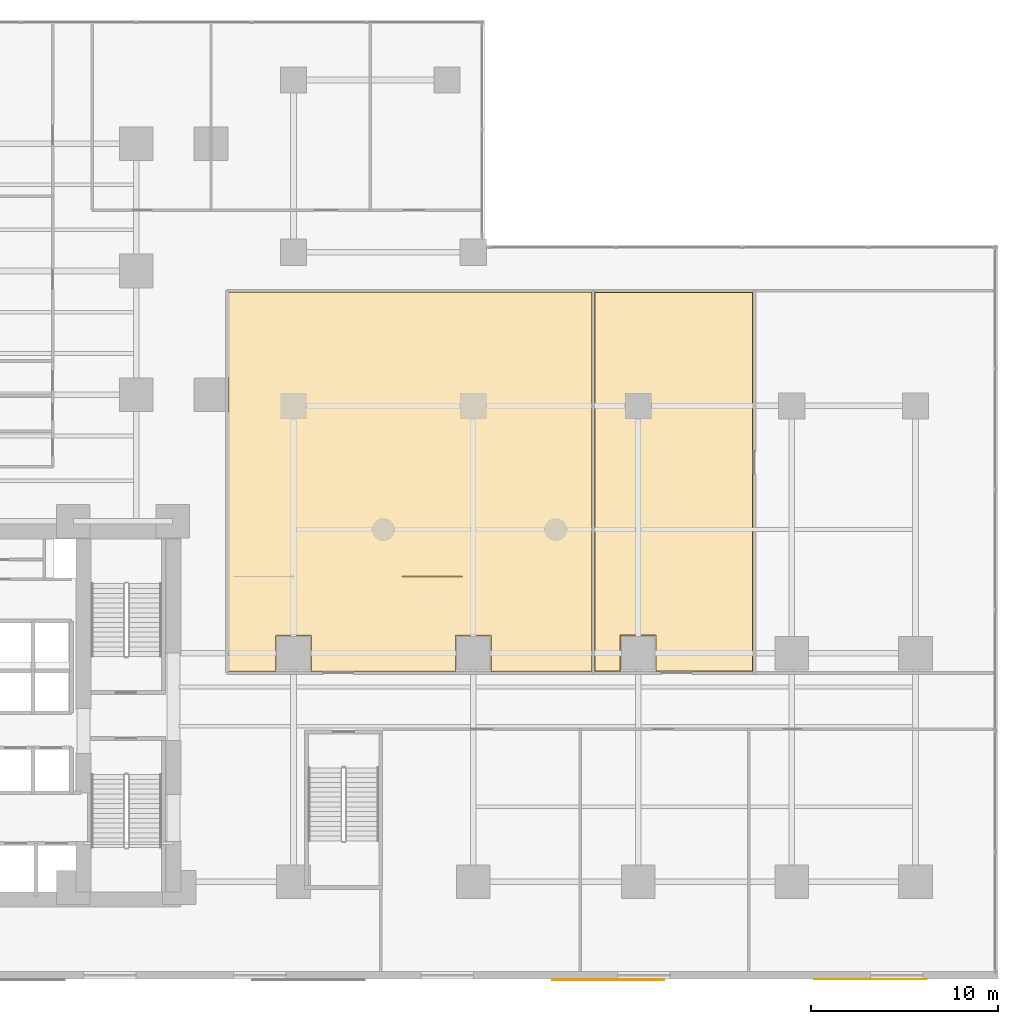
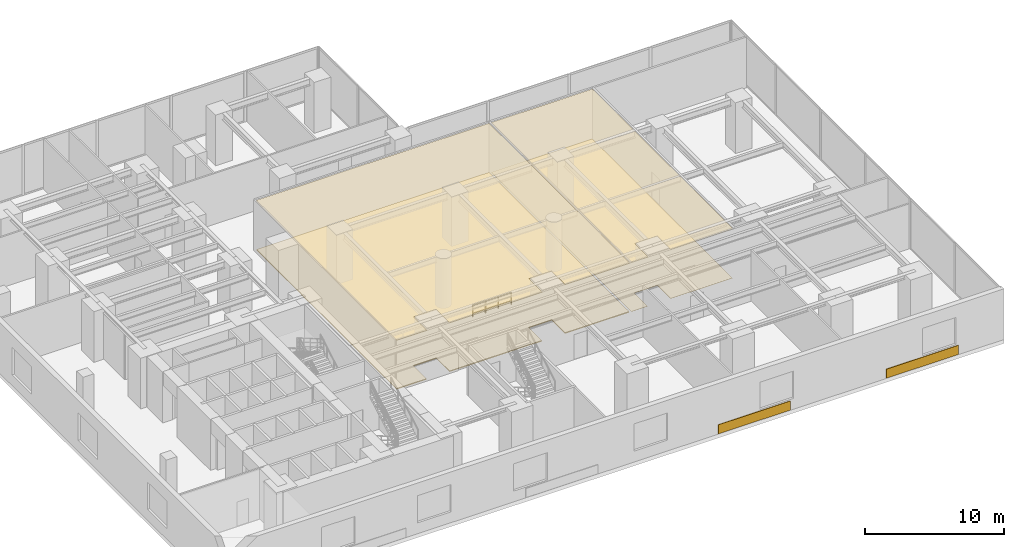
# One storey, part 16 of 16: 6 coverings, 1 railing.
"""IFC4 building model written with IfcOpenShell, lengths in metres."""

from ifc_helpers import new_model, si_unit, direction, frame, origin, origin_2d, place, context, subcontext, project, spatial, polyline, rectangle, circle, outline, extrude, material, layer, layer_set, type_object, element, save


model = new_model("IFC4")

# Units and contexts
model_context = context("Model", 3, precision=1e-05, world=origin(), true_north=direction((0.0, 1.0)))
body_context = subcontext(model_context, "Body", "Model", "MODEL_VIEW")
ifc_project = project(units=[si_unit("LENGTHUNIT", "METRE"), si_unit("AREAUNIT", "SQUARE_METRE"), si_unit("VOLUMEUNIT", "CUBIC_METRE"), si_unit("PLANEANGLEUNIT", "RADIAN"), si_unit("MASSUNIT", "GRAM", prefix="KILO")], contexts=[model_context])

# Site, building, storey
site_placement = place(None, origin())
site = spatial("IfcSite", under=ifc_project, at=site_placement, CompositionType="ELEMENT")
building_placement = place(site_placement, origin())
building = spatial("IfcBuilding", under=site, at=building_placement, Name="Kolvaren Waterfront Exchange", CompositionType="ELEMENT")
storey_placement = place(building_placement, frame((0.0, 0.0, 20.0)))
storey = spatial("IfcBuildingStorey", under=building, at=storey_placement, Name="L05", CompositionType="ELEMENT", Elevation=20.0)

# Railing
ifc_material_1 = material(Name="Anodised bronze aluminium and laminated glass", Category="aluminium")
railing_type = type_object("IfcRailingType", Name="ARC-BALUSTRADE-1150", PredefinedType="BALUSTRADE", material=ifc_material_1)
railing_placement = place(storey_placement, frame((33.0, 21.5, 0.0)))
element("IfcRailing", 1, at=railing_placement, inside=storey, type_object=railing_type, Name="L05 gallery balustrade 2", PredefinedType="BALUSTRADE", context=body_context, shape_type="SweptSolid", body=[
    extrude(circle(Radius=0.02392578125, at=origin_2d()), frame((0.0, 0.0, 1.1259765625), z_axis=(1.0, 0.0, 0.0), x_axis=(0.0, 1.0, 0.0)), (0.0, 0.0, 1.0), 3.199951171875),
    extrude(circle(Radius=0.01611328125, at=origin_2d()), frame((0.0, 0.0, 0.390869140625), z_axis=(1.0, 0.0, 0.0), x_axis=(0.0, 1.0, 0.0)), (0.0, 0.0, 1.0), 3.199951171875),
    extrude(circle(Radius=0.01611328125, at=origin_2d()), frame((0.0, 0.0, 0.7705078125), z_axis=(1.0, 0.0, 0.0), x_axis=(0.0, 1.0, 0.0)), (0.0, 0.0, 1.0), 3.199951171875),
    extrude(circle(Radius=0.02099609375, at=origin_2d()), origin(), (0.0, 0.0, 1.0), 1.101806640625),
    extrude(circle(Radius=0.02099609375, at=origin_2d()), frame((1.066650390625, 0.0, 0.0)), (0.0, 0.0, 1.0), 1.101806640625),
    extrude(circle(Radius=0.02099609375, at=origin_2d()), frame((2.13330078125, 0.0, 0.0)), (0.0, 0.0, 1.0), 1.101806640625),
    extrude(circle(Radius=0.02099609375, at=origin_2d()), frame((3.199951171875, 0.0, 0.0)), (0.0, 0.0, 1.0), 1.101806640625),
])

# Coverings
ifc_material_2 = material(Name="Mineral fibre acoustic ceiling tile")
ifc_layer_1 = layer(ifc_material_2, 0.02490234375, Name="Mineral fibre acoustic ceiling tile")
ifc_layer_set_1 = layer_set([ifc_layer_1], Name="Mineral fibre acoustic ceiling tile")
covering_type_1 = type_object("IfcCoveringType", Name="ARC-CEIL-ACOUSTIC-25", PredefinedType="CEILING", material=ifc_layer_set_1)
covering_1_placement = place(storey_placement, frame((0.0, 0.0, 4.344970703125)))
element("IfcCovering", 2, at=covering_1_placement, inside=storey, type_object=covering_type_1, Name="L05 acoustic suspended ceiling 3", PredefinedType="CEILING", context=body_context, shape_type="SweptSolid", body=[
    extrude(outline(polyline([(51.735107421875, 16.4150390625), (51.735107421875, 36.68505859375), (43.264892578125, 36.68505859375), (43.264892578125, 16.4150390625), (44.675048828125, 16.4150390625), (44.675048828125, 16.4599609375), (44.659912109375, 16.4599609375), (44.659912109375, 18.340087890625), (46.5400390625, 18.340087890625), (46.5400390625, 16.4599609375), (46.52490234375, 16.4599609375), (46.52490234375, 16.4150390625), (51.735107421875, 16.4150390625)])), origin(), (0.0, 0.0, 1.0), 0.025146484375),
])
ifc_material_3 = material(Name="Perforated bronze acoustic ceiling panel", Category="aluminium")
ifc_layer_2 = layer(ifc_material_3, 0.054931640625, Name="Perforated bronze acoustic ceiling panel")
ifc_layer_set_2 = layer_set([ifc_layer_2], Name="Perforated bronze acoustic ceiling panel")
covering_type_2 = type_object("IfcCoveringType", Name="ARC-CEIL-BAFFLE-55", PredefinedType="CEILING", material=ifc_layer_set_2)
covering_2_placement = place(storey_placement, frame((0.0, 0.0, 4.31494140625)))
element("IfcCovering", 3, at=covering_2_placement, inside=storey, type_object=covering_type_2, Name="L05 acoustic suspended ceiling 2", PredefinedType="CEILING", context=body_context, shape_type="SweptSolid", body=[
    extrude(outline(polyline([(23.715087890625, 32.139892578125), (23.739990234375, 32.139892578125), (23.739990234375, 30.260009765625), (23.715087890625, 30.260009765625), (23.715087890625, 16.4150390625), (26.27490234375, 16.4150390625), (26.27490234375, 16.4599609375), (26.260009765625, 16.4599609375), (26.260009765625, 18.340087890625), (28.139892578125, 18.340087890625), (28.139892578125, 16.4599609375), (28.125, 16.4599609375), (28.125, 16.4150390625), (35.875, 16.4150390625), (35.875, 16.4599609375), (35.860107421875, 16.4599609375), (35.860107421875, 18.340087890625), (37.739990234375, 18.340087890625), (37.739990234375, 16.4599609375), (37.72509765625, 16.4599609375), (37.72509765625, 16.4150390625), (43.135009765625, 16.4150390625), (43.135009765625, 36.68505859375), (23.715087890625, 36.68505859375), (23.715087890625, 32.139892578125)])), origin(), (0.0, 0.0, 1.0), 0.05517578125),
])
ifc_material_4 = material(Name="Honed grey-taupe granite stone", Category="masonry")
ifc_layer_3 = layer(ifc_material_4, 0.044921875, Name="Honed grey-taupe granite stone")
ifc_layer_set_3 = layer_set([ifc_layer_3], Name="Honed grey-taupe granite stone")
covering_type_3 = type_object("IfcCoveringType", Name="ARC-CLAD-GRANITE-45", PredefinedType="CLADDING", material=ifc_layer_set_3)
for number, where, z_axis, x_axis, name in (
    (4, (44.0, -0.02001953125, 0.0498046875), (0.0, 0.0, 1.0), (1.0, 0.0, 0.0), "L05 honed grey-taupe granite spandrel cladding S3"),
    (5, (58.0, -0.02001953125, 0.0498046875), (0.0, 0.0, 1.0), (1.0, 0.0, 0.0), "L05 honed grey-taupe granite spandrel cladding S4"),
):
    element("IfcCovering", number, at=place(storey_placement, frame(where, z_axis=z_axis, x_axis=x_axis)), inside=storey, type_object=covering_type_3, Name=name, PredefinedType="CLADDING", context=body_context, shape_type="SweptSolid", body=[
        extrude(rectangle(XDim=6.0, YDim=0.044921875, at=origin_2d()), origin(), (0.0, 0.0, 1.0), 0.800048828125),
    ])
ifc_material_5 = material(Name="Slip-resistant porcelain tile")
ifc_layer_4 = layer(ifc_material_5, 0.014892578125, Name="Slip-resistant porcelain tile")
ifc_layer_set_4 = layer_set([ifc_layer_4], Name="Slip-resistant porcelain tile")
covering_type_4 = type_object("IfcCoveringType", Name="ARC-FLR-PORC-15", PredefinedType="FLOORING", material=ifc_layer_set_4)
covering_3_placement = place(storey_placement, origin())
element("IfcCovering", 6, at=covering_3_placement, inside=storey, type_object=covering_type_4, Name="L05 floor finish 3", PredefinedType="FLOORING", context=body_context, shape_type="SweptSolid", body=[
    extrude(outline(polyline([(43.300048828125, 36.64990234375), (43.300048828125, 16.449951171875), (44.639892578125, 16.449951171875), (44.639892578125, 18.360107421875), (46.56005859375, 18.360107421875), (46.56005859375, 16.449951171875), (51.699951171875, 16.449951171875), (51.699951171875, 36.64990234375), (43.300048828125, 36.64990234375)])), origin(), (0.0, 0.0, 1.0), 0.014892578125),
])
ifc_material_6 = material(Name="Raised access steel-cementitious floor panel", Category="steel")
ifc_layer_5 = layer(ifc_material_6, 0.080078125, Name="Raised access steel-cementitious floor panel")
ifc_layer_set_5 = layer_set([ifc_layer_5], Name="Raised access steel-cementitious floor panel")
covering_type_5 = type_object("IfcCoveringType", Name="ARC-FLR-RAISED-80", PredefinedType="FLOORING", material=ifc_layer_set_5)
covering_4_placement = place(storey_placement, origin())
element("IfcCovering", 7, at=covering_4_placement, inside=storey, type_object=covering_type_5, Name="L05 floor finish 2", PredefinedType="FLOORING", context=body_context, shape_type="SweptSolid", body=[
    extrude(outline(polyline([(23.75, 30.239990234375), (23.75, 16.449951171875), (26.239990234375, 16.449951171875), (26.239990234375, 18.360107421875), (28.159912109375, 18.360107421875), (28.159912109375, 16.449951171875), (35.840087890625, 16.449951171875), (35.840087890625, 18.360107421875), (37.760009765625, 18.360107421875), (37.760009765625, 16.449951171875), (43.10009765625, 16.449951171875), (43.10009765625, 36.64990234375), (23.75, 36.64990234375), (23.75, 32.159912109375), (23.760009765625, 32.159912109375), (23.760009765625, 30.239990234375), (23.75, 30.239990234375)])), origin(), (0.0, 0.0, 1.0), 0.080078125),
])

save(model, "model.ifc")
